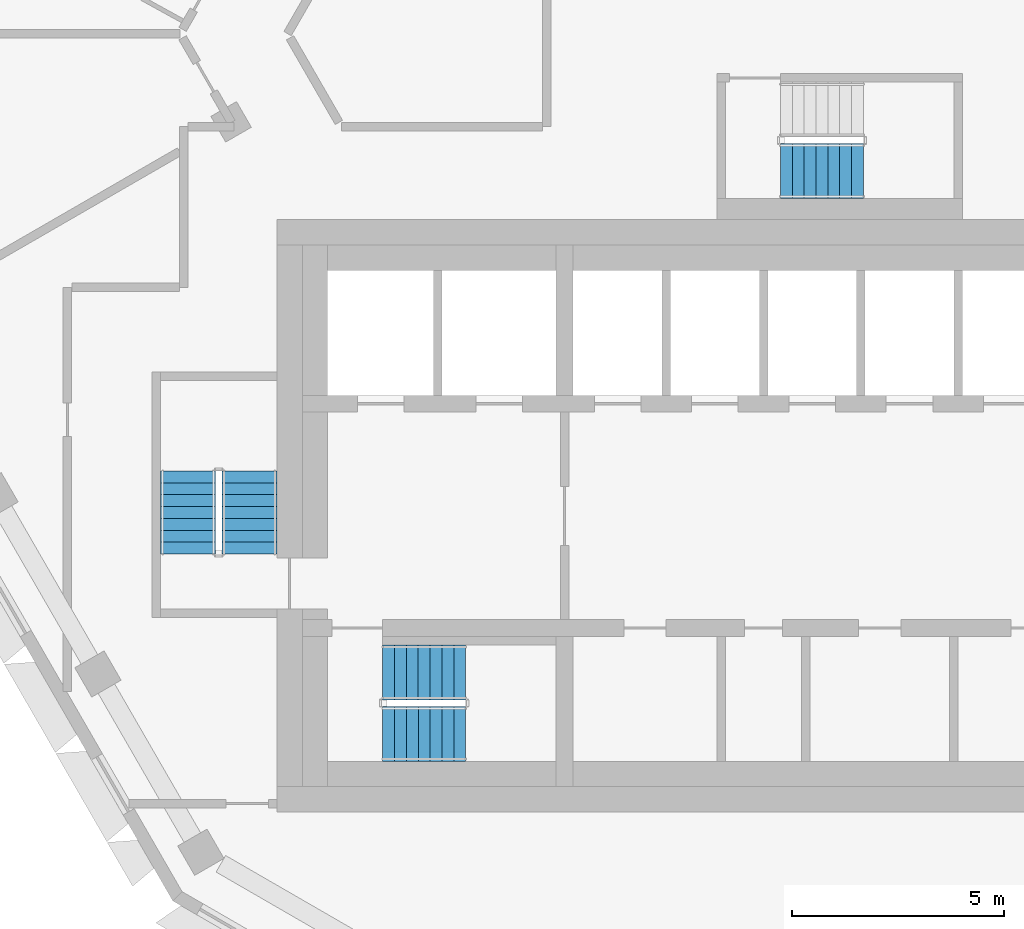
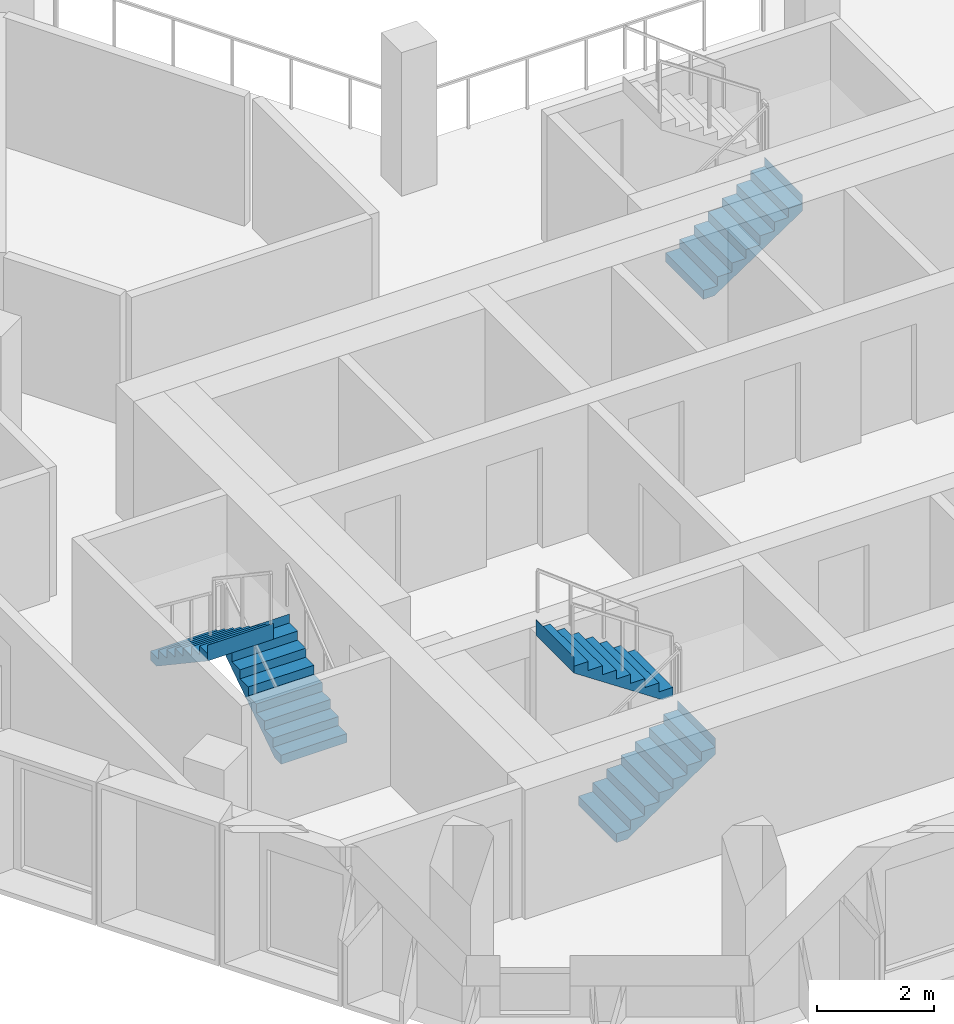
# One storey, part 9 of 15: 5 stair flights, 3 elements without a shape of their own.
"""IFC4 building model written with IfcOpenShell, lengths in metres."""

from ifc_helpers import new_model, si_unit, direction, frame, origin, place, context, subcontext, project, spatial, triangles, material, type_object, element, aggregate, save


model = new_model("IFC4")

# Units and contexts
model_context = context("Model", 3, precision=1e-05, world=origin(), true_north=direction((0.0, 1.0)))
body_context = subcontext(model_context, "Body", "Model", "MODEL_VIEW")
ifc_project = project(units=[si_unit("LENGTHUNIT", "METRE"), si_unit("AREAUNIT", "SQUARE_METRE"), si_unit("VOLUMEUNIT", "CUBIC_METRE"), si_unit("PLANEANGLEUNIT", "RADIAN"), si_unit("MASSUNIT", "GRAM", prefix="KILO")], contexts=[model_context])

# Site, building, storey
site_placement = place(None, origin())
site = spatial("IfcSite", under=ifc_project, at=site_placement, CompositionType="ELEMENT")
building_placement = place(site_placement, origin())
building = spatial("IfcBuilding", under=site, at=building_placement, Name="Beryl Residences", CompositionType="ELEMENT")
storey_placement = place(building_placement, frame((0.0, 0.0, 187.199951171875)))
storey = spatial("IfcBuildingStorey", under=building, at=storey_placement, Name="L57", CompositionType="ELEMENT", Elevation=187.199951171875)

# Stair, stair flights
ifc_material_1 = material(Name="Concrete C40/50", Category="concrete")
stair_type = type_object("IfcStairType", Name="ST1 protected exit stair, half-turn, 1300 mm flights", PredefinedType="HALF_TURN_STAIR", material=ifc_material_1)
stair_1_placement = place(storey_placement, origin())
stair_1 = element("IfcStair", 1, at=stair_1_placement, inside=storey, type_object=stair_type, Name="L57 PROTECTED EXIT STAIR ST-1", PredefinedType="HALF_TURN_STAIR")
ifc_material_2 = material(Name="Concrete C40/50", Category="concrete")
stair_flight_type = type_object("IfcStairFlightType", Name="SF1 stair flight 1300 mm", PredefinedType="STRAIGHT", material=ifc_material_2)
stair_flight_1_placement = place(storey_placement, frame((-10.800048828125, -17.14990234375, 0.0), z_axis=(0.0, 0.0, 1.0), x_axis=(1.0, 0.0, 0.0)))
stair_flight_1 = element("IfcStairFlight", 2, at=stair_flight_1_placement, type_object=stair_flight_type, Name="ST-1 flight 1", NumberOfRisers=8, NumberOfTreads=7, PredefinedType="STRAIGHT", RiserHeight=0.1875, TreadLength=0.28, context=body_context, shape_type="Tessellation", body=[
    triangles([(0.0, -0.64990234375, 0.0), (0.0, -0.324951171875, 0.0), (0.0, 0.0, 0.0), (0.0, 0.324951171875, 0.0), (0.0, 0.64990234375, 0.0), (0.0, -0.64990234375, 0.1875), (0.0, -0.324951171875, 0.1875), (0.0, 0.0, 0.1875), (0.0, 0.324951171875, 0.1875), (0.0, 0.64990234375, 0.1875), (0.280029296875, -0.64990234375, 0.1875), (0.280029296875, -0.324951171875, 0.1875), (0.280029296875, 0.0, 0.1875), (0.280029296875, 0.324951171875, 0.1875), (0.280029296875, 0.64990234375, 0.1875), (0.280029296875, -0.64990234375, 0.375), (0.280029296875, -0.324951171875, 0.375), (0.280029296875, 0.0, 0.375), (0.280029296875, 0.324951171875, 0.375), (0.280029296875, 0.64990234375, 0.375), (0.56005859375, -0.64990234375, 0.375), (0.56005859375, -0.324951171875, 0.375), (0.56005859375, 0.0, 0.375), (0.56005859375, 0.324951171875, 0.375), (0.56005859375, 0.64990234375, 0.375), (0.56005859375, -0.64990234375, 0.5625), (0.56005859375, -0.324951171875, 0.5625), (0.56005859375, 0.0, 0.5625), (0.56005859375, 0.324951171875, 0.5625), (0.56005859375, 0.64990234375, 0.5625), (0.840087890625, -0.64990234375, 0.5625), (0.840087890625, -0.324951171875, 0.5625), (0.840087890625, 0.0, 0.5625), (0.840087890625, 0.324951171875, 0.5625), (0.840087890625, 0.64990234375, 0.5625), (0.840087890625, -0.64990234375, 0.75), (0.840087890625, -0.324951171875, 0.75), (0.840087890625, 0.0, 0.75), (0.840087890625, 0.324951171875, 0.75), (0.840087890625, 0.64990234375, 0.75), (1.1201171875, -0.64990234375, 0.75), (1.1201171875, -0.324951171875, 0.75), (1.1201171875, 0.0, 0.75), (1.1201171875, 0.324951171875, 0.75), (1.1201171875, 0.64990234375, 0.75), (1.1201171875, -0.64990234375, 0.9375), (1.1201171875, -0.324951171875, 0.9375), (1.1201171875, 0.0, 0.9375), (1.1201171875, 0.324951171875, 0.9375), (1.1201171875, 0.64990234375, 0.9375), (1.39990234375, -0.64990234375, 0.9375), (1.39990234375, -0.324951171875, 0.9375), (1.39990234375, 0.0, 0.9375), (1.39990234375, 0.324951171875, 0.9375), (1.39990234375, 0.64990234375, 0.9375), (1.39990234375, -0.64990234375, 1.125), (1.39990234375, -0.324951171875, 1.125), (1.39990234375, 0.0, 1.125), (1.39990234375, 0.324951171875, 1.125), (1.39990234375, 0.64990234375, 1.125), (1.679931640625, -0.64990234375, 1.125), (1.679931640625, -0.324951171875, 1.125), (1.679931640625, 0.0, 1.125), (1.679931640625, 0.324951171875, 1.125), (1.679931640625, 0.64990234375, 1.125), (1.679931640625, -0.64990234375, 1.3125), (1.679931640625, -0.324951171875, 1.3125), (1.679931640625, 0.0, 1.3125), (1.679931640625, 0.324951171875, 1.3125), (1.679931640625, 0.64990234375, 1.3125), (1.9599609375, -0.64990234375, 1.3125), (1.9599609375, -0.324951171875, 1.3125), (1.9599609375, 0.0, 1.3125), (1.9599609375, 0.324951171875, 1.3125), (1.9599609375, 0.64990234375, 1.3125), (1.9599609375, -0.64990234375, 1.5), (1.9599609375, -0.324951171875, 1.5), (1.9599609375, 0.0, 1.5), (1.9599609375, 0.324951171875, 1.5), (1.9599609375, 0.64990234375, 1.5), (1.9609375, -0.64990234375, 1.5), (1.9609375, -0.324951171875, 1.5), (1.9609375, 0.0, 1.5), (1.9609375, 0.324951171875, 1.5), (1.9609375, 0.64990234375, 1.5), (1.9609375, -0.64990234375, 1.16796875), (1.9609375, -0.324951171875, 1.16796875), (1.9609375, 0.0, 1.16796875), (1.9609375, 0.324951171875, 1.16796875), (1.9609375, 0.64990234375, 1.16796875), (0.216796875, -0.64990234375, 0.0), (0.216796875, -0.324951171875, 0.0), (0.216796875, 0.0, 0.0), (0.216796875, 0.324951171875, 0.0), (0.216796875, 0.64990234375, 0.0)], [[1, 6, 7], [1, 7, 2], [2, 7, 8], [2, 8, 3], [3, 8, 9], [3, 9, 4], [4, 9, 10], [4, 10, 5], [6, 11, 12], [6, 12, 7], [7, 12, 13], [7, 13, 8], [8, 13, 14], [8, 14, 9], [9, 14, 15], [9, 15, 10], [11, 16, 17], [11, 17, 12], [12, 17, 18], [12, 18, 13], [13, 18, 19], [13, 19, 14], [14, 19, 20], [14, 20, 15], [16, 21, 22], [16, 22, 17], [17, 22, 23], [17, 23, 18], [18, 23, 24], [18, 24, 19], [19, 24, 25], [19, 25, 20], [21, 26, 27], [21, 27, 22], [22, 27, 28], [22, 28, 23], [23, 28, 29], [23, 29, 24], [24, 29, 30], [24, 30, 25], [26, 31, 32], [26, 32, 27], [27, 32, 33], [27, 33, 28], [28, 33, 34], [28, 34, 29], [29, 34, 35], [29, 35, 30], [31, 36, 37], [31, 37, 32], [32, 37, 38], [32, 38, 33], [33, 38, 39], [33, 39, 34], [34, 39, 40], [34, 40, 35], [36, 41, 42], [36, 42, 37], [37, 42, 43], [37, 43, 38], [38, 43, 44], [38, 44, 39], [39, 44, 45], [39, 45, 40], [41, 46, 47], [41, 47, 42], [42, 47, 48], [42, 48, 43], [43, 48, 49], [43, 49, 44], [44, 49, 50], [44, 50, 45], [46, 51, 52], [46, 52, 47], [47, 52, 53], [47, 53, 48], [48, 53, 54], [48, 54, 49], [49, 54, 55], [49, 55, 50], [51, 56, 57], [51, 57, 52], [52, 57, 58], [52, 58, 53], [53, 58, 59], [53, 59, 54], [54, 59, 60], [54, 60, 55], [56, 61, 62], [56, 62, 57], [57, 62, 63], [57, 63, 58], [58, 63, 64], [58, 64, 59], [59, 64, 65], [59, 65, 60], [61, 66, 67], [61, 67, 62], [62, 67, 68], [62, 68, 63], [63, 68, 69], [63, 69, 64], [64, 69, 70], [64, 70, 65], [66, 71, 72], [66, 72, 67], [67, 72, 73], [67, 73, 68], [68, 73, 74], [68, 74, 69], [69, 74, 75], [69, 75, 70], [71, 76, 77], [71, 77, 72], [72, 77, 78], [72, 78, 73], [73, 78, 79], [73, 79, 74], [74, 79, 80], [74, 80, 75], [76, 81, 82], [76, 82, 77], [77, 82, 83], [77, 83, 78], [78, 83, 84], [78, 84, 79], [79, 84, 85], [79, 85, 80], [81, 86, 87], [81, 87, 82], [82, 87, 88], [82, 88, 83], [83, 88, 89], [83, 89, 84], [84, 89, 90], [84, 90, 85], [86, 91, 92], [86, 92, 87], [87, 92, 93], [87, 93, 88], [88, 93, 94], [88, 94, 89], [89, 94, 95], [89, 95, 90], [91, 1, 2], [91, 2, 92], [92, 2, 3], [92, 3, 93], [93, 3, 4], [93, 4, 94], [94, 4, 5], [94, 5, 95], [1, 91, 86], [5, 90, 95], [86, 81, 76], [90, 80, 85], [86, 76, 71], [90, 75, 80], [86, 71, 66], [90, 70, 75], [86, 66, 61], [90, 65, 70], [61, 56, 51], [65, 55, 60], [86, 61, 51], [90, 55, 65], [51, 46, 41], [55, 45, 50], [86, 51, 41], [90, 45, 55], [41, 36, 31], [45, 35, 40], [86, 41, 31], [90, 35, 45], [31, 26, 21], [35, 25, 30], [86, 31, 21], [90, 25, 35], [21, 16, 11], [25, 15, 20], [86, 21, 11], [90, 15, 25], [1, 86, 11], [5, 15, 90], [11, 6, 1], [15, 5, 10]], closed=True),
])
stair_flight_2_placement = place(storey_placement, frame((-8.840087890625, -15.699951171875, 1.5), z_axis=(0.0, 0.0, 1.0), x_axis=(-1.0, 0.0, 0.0)))
stair_flight_2 = element("IfcStairFlight", 3, at=stair_flight_2_placement, type_object=stair_flight_type, Name="ST-1 flight 2", NumberOfRisers=8, NumberOfTreads=7, PredefinedType="STRAIGHT", RiserHeight=0.1875, TreadLength=0.28, context=body_context, shape_type="Tessellation", body=[
    triangles([(0.0, -0.64990234375, 0.0), (0.0, -0.324951171875, 0.0), (0.0, 0.0, 0.0), (0.0, 0.324951171875, 0.0), (0.0, 0.64990234375, 0.0), (0.0, -0.64990234375, 0.1875), (0.0, -0.324951171875, 0.1875), (0.0, 0.0, 0.1875), (0.0, 0.324951171875, 0.1875), (0.0, 0.64990234375, 0.1875), (0.280029296875, -0.64990234375, 0.1875), (0.280029296875, -0.324951171875, 0.1875), (0.280029296875, 0.0, 0.1875), (0.280029296875, 0.324951171875, 0.1875), (0.280029296875, 0.64990234375, 0.1875), (0.280029296875, -0.64990234375, 0.375), (0.280029296875, -0.324951171875, 0.375), (0.280029296875, 0.0, 0.375), (0.280029296875, 0.324951171875, 0.375), (0.280029296875, 0.64990234375, 0.375), (0.56005859375, -0.64990234375, 0.375), (0.56005859375, -0.324951171875, 0.375), (0.56005859375, 0.0, 0.375), (0.56005859375, 0.324951171875, 0.375), (0.56005859375, 0.64990234375, 0.375), (0.56005859375, -0.64990234375, 0.5625), (0.56005859375, -0.324951171875, 0.5625), (0.56005859375, 0.0, 0.5625), (0.56005859375, 0.324951171875, 0.5625), (0.56005859375, 0.64990234375, 0.5625), (0.840087890625, -0.64990234375, 0.5625), (0.840087890625, -0.324951171875, 0.5625), (0.840087890625, 0.0, 0.5625), (0.840087890625, 0.324951171875, 0.5625), (0.840087890625, 0.64990234375, 0.5625), (0.840087890625, -0.64990234375, 0.75), (0.840087890625, -0.324951171875, 0.75), (0.840087890625, 0.0, 0.75), (0.840087890625, 0.324951171875, 0.75), (0.840087890625, 0.64990234375, 0.75), (1.1201171875, -0.64990234375, 0.75), (1.1201171875, -0.324951171875, 0.75), (1.1201171875, 0.0, 0.75), (1.1201171875, 0.324951171875, 0.75), (1.1201171875, 0.64990234375, 0.75), (1.1201171875, -0.64990234375, 0.9375), (1.1201171875, -0.324951171875, 0.9375), (1.1201171875, 0.0, 0.9375), (1.1201171875, 0.324951171875, 0.9375), (1.1201171875, 0.64990234375, 0.9375), (1.39990234375, -0.64990234375, 0.9375), (1.39990234375, -0.324951171875, 0.9375), (1.39990234375, 0.0, 0.9375), (1.39990234375, 0.324951171875, 0.9375), (1.39990234375, 0.64990234375, 0.9375), (1.39990234375, -0.64990234375, 1.125), (1.39990234375, -0.324951171875, 1.125), (1.39990234375, 0.0, 1.125), (1.39990234375, 0.324951171875, 1.125), (1.39990234375, 0.64990234375, 1.125), (1.679931640625, -0.64990234375, 1.125), (1.679931640625, -0.324951171875, 1.125), (1.679931640625, 0.0, 1.125), (1.679931640625, 0.324951171875, 1.125), (1.679931640625, 0.64990234375, 1.125), (1.679931640625, -0.64990234375, 1.3125), (1.679931640625, -0.324951171875, 1.3125), (1.679931640625, 0.0, 1.3125), (1.679931640625, 0.324951171875, 1.3125), (1.679931640625, 0.64990234375, 1.3125), (1.9599609375, -0.64990234375, 1.3125), (1.9599609375, -0.324951171875, 1.3125), (1.9599609375, 0.0, 1.3125), (1.9599609375, 0.324951171875, 1.3125), (1.9599609375, 0.64990234375, 1.3125), (1.9599609375, -0.64990234375, 1.5), (1.9599609375, -0.324951171875, 1.5), (1.9599609375, 0.0, 1.5), (1.9599609375, 0.324951171875, 1.5), (1.9599609375, 0.64990234375, 1.5), (1.9609375, -0.64990234375, 1.5), (1.9609375, -0.324951171875, 1.5), (1.9609375, 0.0, 1.5), (1.9609375, 0.324951171875, 1.5), (1.9609375, 0.64990234375, 1.5), (1.9609375, -0.64990234375, 1.16796875), (1.9609375, -0.324951171875, 1.16796875), (1.9609375, 0.0, 1.16796875), (1.9609375, 0.324951171875, 1.16796875), (1.9609375, 0.64990234375, 1.16796875), (0.216796875, -0.64990234375, 0.0), (0.216796875, -0.324951171875, 0.0), (0.216796875, 0.0, 0.0), (0.216796875, 0.324951171875, 0.0), (0.216796875, 0.64990234375, 0.0)], [[1, 6, 7], [1, 7, 2], [2, 7, 8], [2, 8, 3], [3, 8, 9], [3, 9, 4], [4, 9, 10], [4, 10, 5], [6, 11, 12], [6, 12, 7], [7, 12, 13], [7, 13, 8], [8, 13, 14], [8, 14, 9], [9, 14, 15], [9, 15, 10], [11, 16, 17], [11, 17, 12], [12, 17, 18], [12, 18, 13], [13, 18, 19], [13, 19, 14], [14, 19, 20], [14, 20, 15], [16, 21, 22], [16, 22, 17], [17, 22, 23], [17, 23, 18], [18, 23, 24], [18, 24, 19], [19, 24, 25], [19, 25, 20], [21, 26, 27], [21, 27, 22], [22, 27, 28], [22, 28, 23], [23, 28, 29], [23, 29, 24], [24, 29, 30], [24, 30, 25], [26, 31, 32], [26, 32, 27], [27, 32, 33], [27, 33, 28], [28, 33, 34], [28, 34, 29], [29, 34, 35], [29, 35, 30], [31, 36, 37], [31, 37, 32], [32, 37, 38], [32, 38, 33], [33, 38, 39], [33, 39, 34], [34, 39, 40], [34, 40, 35], [36, 41, 42], [36, 42, 37], [37, 42, 43], [37, 43, 38], [38, 43, 44], [38, 44, 39], [39, 44, 45], [39, 45, 40], [41, 46, 47], [41, 47, 42], [42, 47, 48], [42, 48, 43], [43, 48, 49], [43, 49, 44], [44, 49, 50], [44, 50, 45], [46, 51, 52], [46, 52, 47], [47, 52, 53], [47, 53, 48], [48, 53, 54], [48, 54, 49], [49, 54, 55], [49, 55, 50], [51, 56, 57], [51, 57, 52], [52, 57, 58], [52, 58, 53], [53, 58, 59], [53, 59, 54], [54, 59, 60], [54, 60, 55], [56, 61, 62], [56, 62, 57], [57, 62, 63], [57, 63, 58], [58, 63, 64], [58, 64, 59], [59, 64, 65], [59, 65, 60], [61, 66, 67], [61, 67, 62], [62, 67, 68], [62, 68, 63], [63, 68, 69], [63, 69, 64], [64, 69, 70], [64, 70, 65], [66, 71, 72], [66, 72, 67], [67, 72, 73], [67, 73, 68], [68, 73, 74], [68, 74, 69], [69, 74, 75], [69, 75, 70], [71, 76, 77], [71, 77, 72], [72, 77, 78], [72, 78, 73], [73, 78, 79], [73, 79, 74], [74, 79, 80], [74, 80, 75], [76, 81, 82], [76, 82, 77], [77, 82, 83], [77, 83, 78], [78, 83, 84], [78, 84, 79], [79, 84, 85], [79, 85, 80], [81, 86, 87], [81, 87, 82], [82, 87, 88], [82, 88, 83], [83, 88, 89], [83, 89, 84], [84, 89, 90], [84, 90, 85], [86, 91, 92], [86, 92, 87], [87, 92, 93], [87, 93, 88], [88, 93, 94], [88, 94, 89], [89, 94, 95], [89, 95, 90], [91, 1, 2], [91, 2, 92], [92, 2, 3], [92, 3, 93], [93, 3, 4], [93, 4, 94], [94, 4, 5], [94, 5, 95], [1, 91, 86], [5, 90, 95], [86, 81, 76], [90, 80, 85], [86, 76, 71], [90, 75, 80], [86, 71, 66], [90, 70, 75], [86, 66, 61], [90, 65, 70], [61, 56, 51], [65, 55, 60], [86, 61, 51], [90, 55, 65], [51, 46, 41], [55, 45, 50], [86, 51, 41], [90, 45, 55], [41, 36, 31], [45, 35, 40], [86, 41, 31], [90, 35, 45], [31, 26, 21], [35, 25, 30], [86, 31, 21], [90, 25, 35], [21, 16, 11], [25, 15, 20], [86, 21, 11], [90, 15, 25], [1, 86, 11], [5, 15, 90], [11, 6, 1], [15, 5, 10]], closed=True),
])
aggregate(stair_1, [stair_flight_1, stair_flight_2])

stair_2_placement = place(storey_placement, origin())
stair_2 = element("IfcStair", 4, at=stair_2_placement, inside=storey, type_object=stair_type, Name="L57 PROTECTED EXIT STAIR ST-2", PredefinedType="HALF_TURN_STAIR")
stair_flight_3_placement = place(storey_placement, frame((-13.949951171875, -12.89990234375, 0.0), z_axis=(0.0, 0.0, 1.0), x_axis=(0.0, 1.0, 0.0)))
stair_flight_3 = element("IfcStairFlight", 5, at=stair_flight_3_placement, type_object=stair_flight_type, Name="ST-2 flight 1", NumberOfRisers=8, NumberOfTreads=7, PredefinedType="STRAIGHT", RiserHeight=0.1875, TreadLength=0.28, context=body_context, shape_type="Tessellation", body=[
    triangles([(0.0, -0.64990234375, 0.0), (0.0, -0.324951171875, 0.0), (0.0, 0.0, 0.0), (0.0, 0.324951171875, 0.0), (0.0, 0.64990234375, 0.0), (0.0, -0.64990234375, 0.1875), (0.0, -0.324951171875, 0.1875), (0.0, 0.0, 0.1875), (0.0, 0.324951171875, 0.1875), (0.0, 0.64990234375, 0.1875), (0.280029296875, -0.64990234375, 0.1875), (0.280029296875, -0.324951171875, 0.1875), (0.280029296875, 0.0, 0.1875), (0.280029296875, 0.324951171875, 0.1875), (0.280029296875, 0.64990234375, 0.1875), (0.280029296875, -0.64990234375, 0.375), (0.280029296875, -0.324951171875, 0.375), (0.280029296875, 0.0, 0.375), (0.280029296875, 0.324951171875, 0.375), (0.280029296875, 0.64990234375, 0.375), (0.56005859375, -0.64990234375, 0.375), (0.56005859375, -0.324951171875, 0.375), (0.56005859375, 0.0, 0.375), (0.56005859375, 0.324951171875, 0.375), (0.56005859375, 0.64990234375, 0.375), (0.56005859375, -0.64990234375, 0.5625), (0.56005859375, -0.324951171875, 0.5625), (0.56005859375, 0.0, 0.5625), (0.56005859375, 0.324951171875, 0.5625), (0.56005859375, 0.64990234375, 0.5625), (0.840087890625, -0.64990234375, 0.5625), (0.840087890625, -0.324951171875, 0.5625), (0.840087890625, 0.0, 0.5625), (0.840087890625, 0.324951171875, 0.5625), (0.840087890625, 0.64990234375, 0.5625), (0.840087890625, -0.64990234375, 0.75), (0.840087890625, -0.324951171875, 0.75), (0.840087890625, 0.0, 0.75), (0.840087890625, 0.324951171875, 0.75), (0.840087890625, 0.64990234375, 0.75), (1.1201171875, -0.64990234375, 0.75), (1.1201171875, -0.324951171875, 0.75), (1.1201171875, 0.0, 0.75), (1.1201171875, 0.324951171875, 0.75), (1.1201171875, 0.64990234375, 0.75), (1.1201171875, -0.64990234375, 0.9375), (1.1201171875, -0.324951171875, 0.9375), (1.1201171875, 0.0, 0.9375), (1.1201171875, 0.324951171875, 0.9375), (1.1201171875, 0.64990234375, 0.9375), (1.39990234375, -0.64990234375, 0.9375), (1.39990234375, -0.324951171875, 0.9375), (1.39990234375, 0.0, 0.9375), (1.39990234375, 0.324951171875, 0.9375), (1.39990234375, 0.64990234375, 0.9375), (1.39990234375, -0.64990234375, 1.125), (1.39990234375, -0.324951171875, 1.125), (1.39990234375, 0.0, 1.125), (1.39990234375, 0.324951171875, 1.125), (1.39990234375, 0.64990234375, 1.125), (1.679931640625, -0.64990234375, 1.125), (1.679931640625, -0.324951171875, 1.125), (1.679931640625, 0.0, 1.125), (1.679931640625, 0.324951171875, 1.125), (1.679931640625, 0.64990234375, 1.125), (1.679931640625, -0.64990234375, 1.3125), (1.679931640625, -0.324951171875, 1.3125), (1.679931640625, 0.0, 1.3125), (1.679931640625, 0.324951171875, 1.3125), (1.679931640625, 0.64990234375, 1.3125), (1.9599609375, -0.64990234375, 1.3125), (1.9599609375, -0.324951171875, 1.3125), (1.9599609375, 0.0, 1.3125), (1.9599609375, 0.324951171875, 1.3125), (1.9599609375, 0.64990234375, 1.3125), (1.9599609375, -0.64990234375, 1.5), (1.9599609375, -0.324951171875, 1.5), (1.9599609375, 0.0, 1.5), (1.9599609375, 0.324951171875, 1.5), (1.9599609375, 0.64990234375, 1.5), (1.9609375, -0.64990234375, 1.5), (1.9609375, -0.324951171875, 1.5), (1.9609375, 0.0, 1.5), (1.9609375, 0.324951171875, 1.5), (1.9609375, 0.64990234375, 1.5), (1.9609375, -0.64990234375, 1.16796875), (1.9609375, -0.324951171875, 1.16796875), (1.9609375, 0.0, 1.16796875), (1.9609375, 0.324951171875, 1.16796875), (1.9609375, 0.64990234375, 1.16796875), (0.216796875, -0.64990234375, 0.0), (0.216796875, -0.324951171875, 0.0), (0.216796875, 0.0, 0.0), (0.216796875, 0.324951171875, 0.0), (0.216796875, 0.64990234375, 0.0)], [[1, 6, 7], [1, 7, 2], [2, 7, 8], [2, 8, 3], [3, 8, 9], [3, 9, 4], [4, 9, 10], [4, 10, 5], [6, 11, 12], [6, 12, 7], [7, 12, 13], [7, 13, 8], [8, 13, 14], [8, 14, 9], [9, 14, 15], [9, 15, 10], [11, 16, 17], [11, 17, 12], [12, 17, 18], [12, 18, 13], [13, 18, 19], [13, 19, 14], [14, 19, 20], [14, 20, 15], [16, 21, 22], [16, 22, 17], [17, 22, 23], [17, 23, 18], [18, 23, 24], [18, 24, 19], [19, 24, 25], [19, 25, 20], [21, 26, 27], [21, 27, 22], [22, 27, 28], [22, 28, 23], [23, 28, 29], [23, 29, 24], [24, 29, 30], [24, 30, 25], [26, 31, 32], [26, 32, 27], [27, 32, 33], [27, 33, 28], [28, 33, 34], [28, 34, 29], [29, 34, 35], [29, 35, 30], [31, 36, 37], [31, 37, 32], [32, 37, 38], [32, 38, 33], [33, 38, 39], [33, 39, 34], [34, 39, 40], [34, 40, 35], [36, 41, 42], [36, 42, 37], [37, 42, 43], [37, 43, 38], [38, 43, 44], [38, 44, 39], [39, 44, 45], [39, 45, 40], [41, 46, 47], [41, 47, 42], [42, 47, 48], [42, 48, 43], [43, 48, 49], [43, 49, 44], [44, 49, 50], [44, 50, 45], [46, 51, 52], [46, 52, 47], [47, 52, 53], [47, 53, 48], [48, 53, 54], [48, 54, 49], [49, 54, 55], [49, 55, 50], [51, 56, 57], [51, 57, 52], [52, 57, 58], [52, 58, 53], [53, 58, 59], [53, 59, 54], [54, 59, 60], [54, 60, 55], [56, 61, 62], [56, 62, 57], [57, 62, 63], [57, 63, 58], [58, 63, 64], [58, 64, 59], [59, 64, 65], [59, 65, 60], [61, 66, 67], [61, 67, 62], [62, 67, 68], [62, 68, 63], [63, 68, 69], [63, 69, 64], [64, 69, 70], [64, 70, 65], [66, 71, 72], [66, 72, 67], [67, 72, 73], [67, 73, 68], [68, 73, 74], [68, 74, 69], [69, 74, 75], [69, 75, 70], [71, 76, 77], [71, 77, 72], [72, 77, 78], [72, 78, 73], [73, 78, 79], [73, 79, 74], [74, 79, 80], [74, 80, 75], [76, 81, 82], [76, 82, 77], [77, 82, 83], [77, 83, 78], [78, 83, 84], [78, 84, 79], [79, 84, 85], [79, 85, 80], [81, 86, 87], [81, 87, 82], [82, 87, 88], [82, 88, 83], [83, 88, 89], [83, 89, 84], [84, 89, 90], [84, 90, 85], [86, 91, 92], [86, 92, 87], [87, 92, 93], [87, 93, 88], [88, 93, 94], [88, 94, 89], [89, 94, 95], [89, 95, 90], [91, 1, 2], [91, 2, 92], [92, 2, 3], [92, 3, 93], [93, 3, 4], [93, 4, 94], [94, 4, 5], [94, 5, 95], [1, 91, 86], [5, 90, 95], [86, 81, 76], [90, 80, 85], [86, 76, 71], [90, 75, 80], [86, 71, 66], [90, 70, 75], [86, 66, 61], [90, 65, 70], [61, 56, 51], [65, 55, 60], [86, 61, 51], [90, 55, 65], [51, 46, 41], [55, 45, 50], [86, 51, 41], [90, 45, 55], [41, 36, 31], [45, 35, 40], [86, 41, 31], [90, 35, 45], [31, 26, 21], [35, 25, 30], [86, 31, 21], [90, 25, 35], [21, 16, 11], [25, 15, 20], [86, 21, 11], [90, 15, 25], [1, 86, 11], [5, 15, 90], [11, 6, 1], [15, 5, 10]], closed=True),
])
stair_flight_4_placement = place(storey_placement, frame((-15.39990234375, -10.93994140625, 1.5), z_axis=(0.0, 0.0, 1.0), x_axis=(0.0, -1.0, 0.0)))
stair_flight_4 = element("IfcStairFlight", 6, at=stair_flight_4_placement, type_object=stair_flight_type, Name="ST-2 flight 2", NumberOfRisers=8, NumberOfTreads=7, PredefinedType="STRAIGHT", RiserHeight=0.1875, TreadLength=0.28, context=body_context, shape_type="Tessellation", body=[
    triangles([(0.0, -0.64990234375, 0.0), (0.0, -0.324951171875, 0.0), (0.0, 0.0, 0.0), (0.0, 0.324951171875, 0.0), (0.0, 0.64990234375, 0.0), (0.0, -0.64990234375, 0.1875), (0.0, -0.324951171875, 0.1875), (0.0, 0.0, 0.1875), (0.0, 0.324951171875, 0.1875), (0.0, 0.64990234375, 0.1875), (0.280029296875, -0.64990234375, 0.1875), (0.280029296875, -0.324951171875, 0.1875), (0.280029296875, 0.0, 0.1875), (0.280029296875, 0.324951171875, 0.1875), (0.280029296875, 0.64990234375, 0.1875), (0.280029296875, -0.64990234375, 0.375), (0.280029296875, -0.324951171875, 0.375), (0.280029296875, 0.0, 0.375), (0.280029296875, 0.324951171875, 0.375), (0.280029296875, 0.64990234375, 0.375), (0.56005859375, -0.64990234375, 0.375), (0.56005859375, -0.324951171875, 0.375), (0.56005859375, 0.0, 0.375), (0.56005859375, 0.324951171875, 0.375), (0.56005859375, 0.64990234375, 0.375), (0.56005859375, -0.64990234375, 0.5625), (0.56005859375, -0.324951171875, 0.5625), (0.56005859375, 0.0, 0.5625), (0.56005859375, 0.324951171875, 0.5625), (0.56005859375, 0.64990234375, 0.5625), (0.840087890625, -0.64990234375, 0.5625), (0.840087890625, -0.324951171875, 0.5625), (0.840087890625, 0.0, 0.5625), (0.840087890625, 0.324951171875, 0.5625), (0.840087890625, 0.64990234375, 0.5625), (0.840087890625, -0.64990234375, 0.75), (0.840087890625, -0.324951171875, 0.75), (0.840087890625, 0.0, 0.75), (0.840087890625, 0.324951171875, 0.75), (0.840087890625, 0.64990234375, 0.75), (1.1201171875, -0.64990234375, 0.75), (1.1201171875, -0.324951171875, 0.75), (1.1201171875, 0.0, 0.75), (1.1201171875, 0.324951171875, 0.75), (1.1201171875, 0.64990234375, 0.75), (1.1201171875, -0.64990234375, 0.9375), (1.1201171875, -0.324951171875, 0.9375), (1.1201171875, 0.0, 0.9375), (1.1201171875, 0.324951171875, 0.9375), (1.1201171875, 0.64990234375, 0.9375), (1.39990234375, -0.64990234375, 0.9375), (1.39990234375, -0.324951171875, 0.9375), (1.39990234375, 0.0, 0.9375), (1.39990234375, 0.324951171875, 0.9375), (1.39990234375, 0.64990234375, 0.9375), (1.39990234375, -0.64990234375, 1.125), (1.39990234375, -0.324951171875, 1.125), (1.39990234375, 0.0, 1.125), (1.39990234375, 0.324951171875, 1.125), (1.39990234375, 0.64990234375, 1.125), (1.679931640625, -0.64990234375, 1.125), (1.679931640625, -0.324951171875, 1.125), (1.679931640625, 0.0, 1.125), (1.679931640625, 0.324951171875, 1.125), (1.679931640625, 0.64990234375, 1.125), (1.679931640625, -0.64990234375, 1.3125), (1.679931640625, -0.324951171875, 1.3125), (1.679931640625, 0.0, 1.3125), (1.679931640625, 0.324951171875, 1.3125), (1.679931640625, 0.64990234375, 1.3125), (1.9599609375, -0.64990234375, 1.3125), (1.9599609375, -0.324951171875, 1.3125), (1.9599609375, 0.0, 1.3125), (1.9599609375, 0.324951171875, 1.3125), (1.9599609375, 0.64990234375, 1.3125), (1.9599609375, -0.64990234375, 1.5), (1.9599609375, -0.324951171875, 1.5), (1.9599609375, 0.0, 1.5), (1.9599609375, 0.324951171875, 1.5), (1.9599609375, 0.64990234375, 1.5), (1.9609375, -0.64990234375, 1.5), (1.9609375, -0.324951171875, 1.5), (1.9609375, 0.0, 1.5), (1.9609375, 0.324951171875, 1.5), (1.9609375, 0.64990234375, 1.5), (1.9609375, -0.64990234375, 1.16796875), (1.9609375, -0.324951171875, 1.16796875), (1.9609375, 0.0, 1.16796875), (1.9609375, 0.324951171875, 1.16796875), (1.9609375, 0.64990234375, 1.16796875), (0.216796875, -0.64990234375, 0.0), (0.216796875, -0.324951171875, 0.0), (0.216796875, 0.0, 0.0), (0.216796875, 0.324951171875, 0.0), (0.216796875, 0.64990234375, 0.0)], [[1, 6, 7], [1, 7, 2], [2, 7, 8], [2, 8, 3], [3, 8, 9], [3, 9, 4], [4, 9, 10], [4, 10, 5], [6, 11, 12], [6, 12, 7], [7, 12, 13], [7, 13, 8], [8, 13, 14], [8, 14, 9], [9, 14, 15], [9, 15, 10], [11, 16, 17], [11, 17, 12], [12, 17, 18], [12, 18, 13], [13, 18, 19], [13, 19, 14], [14, 19, 20], [14, 20, 15], [16, 21, 22], [16, 22, 17], [17, 22, 23], [17, 23, 18], [18, 23, 24], [18, 24, 19], [19, 24, 25], [19, 25, 20], [21, 26, 27], [21, 27, 22], [22, 27, 28], [22, 28, 23], [23, 28, 29], [23, 29, 24], [24, 29, 30], [24, 30, 25], [26, 31, 32], [26, 32, 27], [27, 32, 33], [27, 33, 28], [28, 33, 34], [28, 34, 29], [29, 34, 35], [29, 35, 30], [31, 36, 37], [31, 37, 32], [32, 37, 38], [32, 38, 33], [33, 38, 39], [33, 39, 34], [34, 39, 40], [34, 40, 35], [36, 41, 42], [36, 42, 37], [37, 42, 43], [37, 43, 38], [38, 43, 44], [38, 44, 39], [39, 44, 45], [39, 45, 40], [41, 46, 47], [41, 47, 42], [42, 47, 48], [42, 48, 43], [43, 48, 49], [43, 49, 44], [44, 49, 50], [44, 50, 45], [46, 51, 52], [46, 52, 47], [47, 52, 53], [47, 53, 48], [48, 53, 54], [48, 54, 49], [49, 54, 55], [49, 55, 50], [51, 56, 57], [51, 57, 52], [52, 57, 58], [52, 58, 53], [53, 58, 59], [53, 59, 54], [54, 59, 60], [54, 60, 55], [56, 61, 62], [56, 62, 57], [57, 62, 63], [57, 63, 58], [58, 63, 64], [58, 64, 59], [59, 64, 65], [59, 65, 60], [61, 66, 67], [61, 67, 62], [62, 67, 68], [62, 68, 63], [63, 68, 69], [63, 69, 64], [64, 69, 70], [64, 70, 65], [66, 71, 72], [66, 72, 67], [67, 72, 73], [67, 73, 68], [68, 73, 74], [68, 74, 69], [69, 74, 75], [69, 75, 70], [71, 76, 77], [71, 77, 72], [72, 77, 78], [72, 78, 73], [73, 78, 79], [73, 79, 74], [74, 79, 80], [74, 80, 75], [76, 81, 82], [76, 82, 77], [77, 82, 83], [77, 83, 78], [78, 83, 84], [78, 84, 79], [79, 84, 85], [79, 85, 80], [81, 86, 87], [81, 87, 82], [82, 87, 88], [82, 88, 83], [83, 88, 89], [83, 89, 84], [84, 89, 90], [84, 90, 85], [86, 91, 92], [86, 92, 87], [87, 92, 93], [87, 93, 88], [88, 93, 94], [88, 94, 89], [89, 94, 95], [89, 95, 90], [91, 1, 2], [91, 2, 92], [92, 2, 3], [92, 3, 93], [93, 3, 4], [93, 4, 94], [94, 4, 5], [94, 5, 95], [1, 91, 86], [5, 90, 95], [86, 81, 76], [90, 80, 85], [86, 76, 71], [90, 75, 80], [86, 71, 66], [90, 70, 75], [86, 66, 61], [90, 65, 70], [61, 56, 51], [65, 55, 60], [86, 61, 51], [90, 55, 65], [51, 46, 41], [55, 45, 50], [86, 51, 41], [90, 45, 55], [41, 36, 31], [45, 35, 40], [86, 41, 31], [90, 35, 45], [31, 26, 21], [35, 25, 30], [86, 31, 21], [90, 25, 35], [21, 16, 11], [25, 15, 20], [86, 21, 11], [90, 15, 25], [1, 86, 11], [5, 15, 90], [11, 6, 1], [15, 5, 10]], closed=True),
])
aggregate(stair_2, [stair_flight_3, stair_flight_4])

# Stair, stair flight
stair_3_placement = place(storey_placement, origin())
stair_3 = element("IfcStair", 7, at=stair_3_placement, inside=storey, type_object=stair_type, Name="L57 PROTECTED EXIT STAIR ST-4", PredefinedType="HALF_TURN_STAIR")
stair_flight_5_placement = place(storey_placement, frame((-1.39990234375, -3.85009765625, 0.0), z_axis=(0.0, 0.0, 1.0), x_axis=(1.0, 0.0, 0.0)))
stair_flight_5 = element("IfcStairFlight", 8, at=stair_flight_5_placement, type_object=stair_flight_type, Name="ST-4 flight 1", NumberOfRisers=8, NumberOfTreads=7, PredefinedType="STRAIGHT", RiserHeight=0.1875, TreadLength=0.28, context=body_context, shape_type="Tessellation", body=[
    triangles([(0.0, -0.64990234375, 0.0), (0.0, -0.324951171875, 0.0), (0.0, 0.0, 0.0), (0.0, 0.324951171875, 0.0), (0.0, 0.64990234375, 0.0), (0.0, -0.64990234375, 0.1875), (0.0, -0.324951171875, 0.1875), (0.0, 0.0, 0.1875), (0.0, 0.324951171875, 0.1875), (0.0, 0.64990234375, 0.1875), (0.280029296875, -0.64990234375, 0.1875), (0.280029296875, -0.324951171875, 0.1875), (0.280029296875, 0.0, 0.1875), (0.280029296875, 0.324951171875, 0.1875), (0.280029296875, 0.64990234375, 0.1875), (0.280029296875, -0.64990234375, 0.375), (0.280029296875, -0.324951171875, 0.375), (0.280029296875, 0.0, 0.375), (0.280029296875, 0.324951171875, 0.375), (0.280029296875, 0.64990234375, 0.375), (0.56005859375, -0.64990234375, 0.375), (0.56005859375, -0.324951171875, 0.375), (0.56005859375, 0.0, 0.375), (0.56005859375, 0.324951171875, 0.375), (0.56005859375, 0.64990234375, 0.375), (0.56005859375, -0.64990234375, 0.5625), (0.56005859375, -0.324951171875, 0.5625), (0.56005859375, 0.0, 0.5625), (0.56005859375, 0.324951171875, 0.5625), (0.56005859375, 0.64990234375, 0.5625), (0.840087890625, -0.64990234375, 0.5625), (0.840087890625, -0.324951171875, 0.5625), (0.840087890625, 0.0, 0.5625), (0.840087890625, 0.324951171875, 0.5625), (0.840087890625, 0.64990234375, 0.5625), (0.840087890625, -0.64990234375, 0.75), (0.840087890625, -0.324951171875, 0.75), (0.840087890625, 0.0, 0.75), (0.840087890625, 0.324951171875, 0.75), (0.840087890625, 0.64990234375, 0.75), (1.1201171875, -0.64990234375, 0.75), (1.1201171875, -0.324951171875, 0.75), (1.1201171875, 0.0, 0.75), (1.1201171875, 0.324951171875, 0.75), (1.1201171875, 0.64990234375, 0.75), (1.1201171875, -0.64990234375, 0.9375), (1.1201171875, -0.324951171875, 0.9375), (1.1201171875, 0.0, 0.9375), (1.1201171875, 0.324951171875, 0.9375), (1.1201171875, 0.64990234375, 0.9375), (1.39990234375, -0.64990234375, 0.9375), (1.39990234375, -0.324951171875, 0.9375), (1.39990234375, 0.0, 0.9375), (1.39990234375, 0.324951171875, 0.9375), (1.39990234375, 0.64990234375, 0.9375), (1.39990234375, -0.64990234375, 1.125), (1.39990234375, -0.324951171875, 1.125), (1.39990234375, 0.0, 1.125), (1.39990234375, 0.324951171875, 1.125), (1.39990234375, 0.64990234375, 1.125), (1.679931640625, -0.64990234375, 1.125), (1.679931640625, -0.324951171875, 1.125), (1.679931640625, 0.0, 1.125), (1.679931640625, 0.324951171875, 1.125), (1.679931640625, 0.64990234375, 1.125), (1.679931640625, -0.64990234375, 1.3125), (1.679931640625, -0.324951171875, 1.3125), (1.679931640625, 0.0, 1.3125), (1.679931640625, 0.324951171875, 1.3125), (1.679931640625, 0.64990234375, 1.3125), (1.9599609375, -0.64990234375, 1.3125), (1.9599609375, -0.324951171875, 1.3125), (1.9599609375, 0.0, 1.3125), (1.9599609375, 0.324951171875, 1.3125), (1.9599609375, 0.64990234375, 1.3125), (1.9599609375, -0.64990234375, 1.5), (1.9599609375, -0.324951171875, 1.5), (1.9599609375, 0.0, 1.5), (1.9599609375, 0.324951171875, 1.5), (1.9599609375, 0.64990234375, 1.5), (1.9609375, -0.64990234375, 1.5), (1.9609375, -0.324951171875, 1.5), (1.9609375, 0.0, 1.5), (1.9609375, 0.324951171875, 1.5), (1.9609375, 0.64990234375, 1.5), (1.9609375, -0.64990234375, 1.16796875), (1.9609375, -0.324951171875, 1.16796875), (1.9609375, 0.0, 1.16796875), (1.9609375, 0.324951171875, 1.16796875), (1.9609375, 0.64990234375, 1.16796875), (0.216796875, -0.64990234375, 0.0), (0.216796875, -0.324951171875, 0.0), (0.216796875, 0.0, 0.0), (0.216796875, 0.324951171875, 0.0), (0.216796875, 0.64990234375, 0.0)], [[1, 6, 7], [1, 7, 2], [2, 7, 8], [2, 8, 3], [3, 8, 9], [3, 9, 4], [4, 9, 10], [4, 10, 5], [6, 11, 12], [6, 12, 7], [7, 12, 13], [7, 13, 8], [8, 13, 14], [8, 14, 9], [9, 14, 15], [9, 15, 10], [11, 16, 17], [11, 17, 12], [12, 17, 18], [12, 18, 13], [13, 18, 19], [13, 19, 14], [14, 19, 20], [14, 20, 15], [16, 21, 22], [16, 22, 17], [17, 22, 23], [17, 23, 18], [18, 23, 24], [18, 24, 19], [19, 24, 25], [19, 25, 20], [21, 26, 27], [21, 27, 22], [22, 27, 28], [22, 28, 23], [23, 28, 29], [23, 29, 24], [24, 29, 30], [24, 30, 25], [26, 31, 32], [26, 32, 27], [27, 32, 33], [27, 33, 28], [28, 33, 34], [28, 34, 29], [29, 34, 35], [29, 35, 30], [31, 36, 37], [31, 37, 32], [32, 37, 38], [32, 38, 33], [33, 38, 39], [33, 39, 34], [34, 39, 40], [34, 40, 35], [36, 41, 42], [36, 42, 37], [37, 42, 43], [37, 43, 38], [38, 43, 44], [38, 44, 39], [39, 44, 45], [39, 45, 40], [41, 46, 47], [41, 47, 42], [42, 47, 48], [42, 48, 43], [43, 48, 49], [43, 49, 44], [44, 49, 50], [44, 50, 45], [46, 51, 52], [46, 52, 47], [47, 52, 53], [47, 53, 48], [48, 53, 54], [48, 54, 49], [49, 54, 55], [49, 55, 50], [51, 56, 57], [51, 57, 52], [52, 57, 58], [52, 58, 53], [53, 58, 59], [53, 59, 54], [54, 59, 60], [54, 60, 55], [56, 61, 62], [56, 62, 57], [57, 62, 63], [57, 63, 58], [58, 63, 64], [58, 64, 59], [59, 64, 65], [59, 65, 60], [61, 66, 67], [61, 67, 62], [62, 67, 68], [62, 68, 63], [63, 68, 69], [63, 69, 64], [64, 69, 70], [64, 70, 65], [66, 71, 72], [66, 72, 67], [67, 72, 73], [67, 73, 68], [68, 73, 74], [68, 74, 69], [69, 74, 75], [69, 75, 70], [71, 76, 77], [71, 77, 72], [72, 77, 78], [72, 78, 73], [73, 78, 79], [73, 79, 74], [74, 79, 80], [74, 80, 75], [76, 81, 82], [76, 82, 77], [77, 82, 83], [77, 83, 78], [78, 83, 84], [78, 84, 79], [79, 84, 85], [79, 85, 80], [81, 86, 87], [81, 87, 82], [82, 87, 88], [82, 88, 83], [83, 88, 89], [83, 89, 84], [84, 89, 90], [84, 90, 85], [86, 91, 92], [86, 92, 87], [87, 92, 93], [87, 93, 88], [88, 93, 94], [88, 94, 89], [89, 94, 95], [89, 95, 90], [91, 1, 2], [91, 2, 92], [92, 2, 3], [92, 3, 93], [93, 3, 4], [93, 4, 94], [94, 4, 5], [94, 5, 95], [1, 91, 86], [5, 90, 95], [86, 81, 76], [90, 80, 85], [86, 76, 71], [90, 75, 80], [86, 71, 66], [90, 70, 75], [86, 66, 61], [90, 65, 70], [61, 56, 51], [65, 55, 60], [86, 61, 51], [90, 55, 65], [51, 46, 41], [55, 45, 50], [86, 51, 41], [90, 45, 55], [41, 36, 31], [45, 35, 40], [86, 41, 31], [90, 35, 45], [31, 26, 21], [35, 25, 30], [86, 31, 21], [90, 25, 35], [21, 16, 11], [25, 15, 20], [86, 21, 11], [90, 15, 25], [1, 86, 11], [5, 15, 90], [11, 6, 1], [15, 5, 10]], closed=True),
])
aggregate(stair_3, [stair_flight_5])

save(model, "model.ifc")
